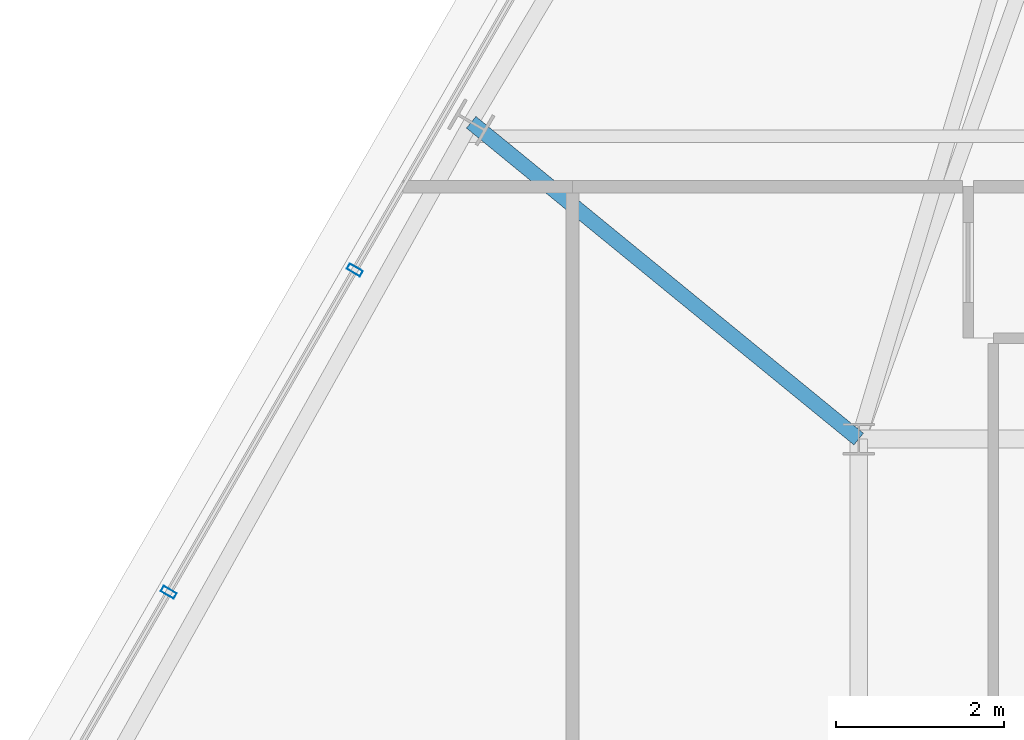
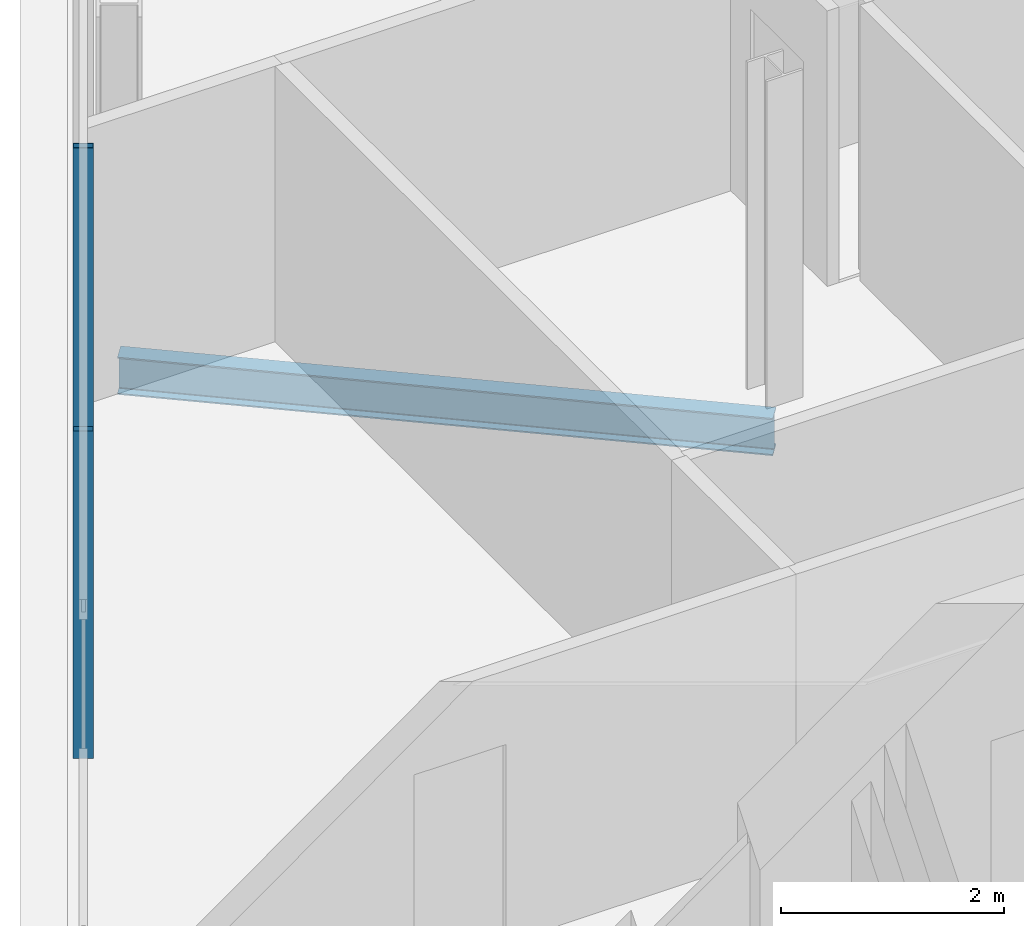
# One storey, part 12 of 34: 2 members, 1 beam, 1 element without a shape of its own.
"""IFC4 building model written with IfcOpenShell, lengths in metres."""

from ifc_helpers import new_model, si_unit, direction, frame, origin, origin_2d, place, context, subcontext, project, spatial, hollow_rectangle, i_section, extrude, material, layer, layer_set, material_profile, profile_set, type_object, element, aggregate, save


model = new_model("IFC4")

# Units and contexts
model_context = context("Model", 3, precision=1e-05, world=origin(), true_north=direction((0.0, 1.0)))
body_context = subcontext(model_context, "Body", "Model", "MODEL_VIEW")
ifc_project = project(units=[si_unit("LENGTHUNIT", "METRE"), si_unit("AREAUNIT", "SQUARE_METRE"), si_unit("VOLUMEUNIT", "CUBIC_METRE"), si_unit("PLANEANGLEUNIT", "RADIAN"), si_unit("MASSUNIT", "GRAM", prefix="KILO")], contexts=[model_context])

# Site, building, storey
site_placement = place(None, origin())
site = spatial("IfcSite", under=ifc_project, at=site_placement, CompositionType="ELEMENT")
building_placement = place(site_placement, origin())
building = spatial("IfcBuilding", under=site, at=building_placement, Name="Ndaravel Arena Tower", CompositionType="ELEMENT")
storey_placement = place(building_placement, frame((0.0, 0.0, 263.60009765625)))
storey = spatial("IfcBuildingStorey", under=building, at=storey_placement, Name="L64", CompositionType="ELEMENT", Elevation=263.60009765625)

# Beam
ifc_material_1 = material(Name="Steel S355", Category="steel")
ifc_material_profile_1 = material_profile(ifc_material_1, i_section(OverallWidth=0.1787109375, OverallDepth=0.409423828125, WebThickness=0.0087890625, FlangeThickness=0.014404296875, FilletRadius=0.01025390625, at=origin_2d()), Name="UB 406x178x67")
ifc_profile_set_1 = profile_set([ifc_material_profile_1], Name="Steel S355")
beam_type = type_object("IfcBeamType", Name="BM-GIRD-UB406", PredefinedType="BEAM", material=ifc_profile_set_1)
beam_placement = place(storey_placement, frame((29.596435546875, 26.963623046875, -0.4248046875), z_axis=(0.774191399376, -0.632951559863, 0.0), x_axis=(0.632951559863, 0.774191399376, 0.0)))
element("IfcBeam", 1, at=beam_placement, inside=storey, type_object=beam_type, Name="L64 Radial Floor Girder FG-19", PredefinedType="BEAM", context=body_context, shape_type="SweptSolid", body=[
    extrude(i_section(OverallWidth=0.1787109375, OverallDepth=0.409423828125, WebThickness=0.0087890625, FlangeThickness=0.014404296875, FilletRadius=0.01025390625, at=origin_2d()), origin(), (0.0, 0.0, 1.0), 5.9462890625),
])

# Curtain wall, members
ifc_material_2 = material(Name="Aluminium", Category="aluminium")
ifc_layer = layer(ifc_material_2, 0.179931640625)
ifc_layer_set = layer_set([ifc_layer], Name="Aluminium")
curtain_wall_type = type_object("IfcCurtainWallType", Name="CW-SYS-03", PredefinedType="NOTDEFINED", material=ifc_layer_set)
curtain_wall_placement = place(storey_placement, origin())
curtain_wall = element("IfcCurtainWall", 2, at=curtain_wall_placement, inside=storey, type_object=curtain_wall_type, Name="L64 Faceted Crystal Curtain Wall CW-L64-E05", PredefinedType="NOTDEFINED")
ifc_material_3 = material(Name="Aluminium", Category="aluminium")
ifc_material_profile_2 = material_profile(ifc_material_3, hollow_rectangle(XDim=0.074951171875, YDim=0.179931640625, WallThickness=0.00390625, at=origin_2d()), Name="CW MULLION 75x180x4")
ifc_profile_set_2 = profile_set([ifc_material_profile_2], Name="Aluminium")
member_type = type_object("IfcMemberType", Name="MEM-CW-MUL180", PredefinedType="MULLION", material=ifc_profile_set_2)
member_1_placement = place(storey_placement, frame((28.213623046875, 25.20849609375, 0.0), z_axis=(0.0, 0.0, 1.0), x_axis=(-0.5, -0.866025403784, 0.0)))
member_1 = element("IfcMember", 3, at=member_1_placement, type_object=member_type, Name="CW-L64-E05 Mullion 05", PredefinedType="MULLION", context=body_context, shape_type="SweptSolid", body=[
    extrude(hollow_rectangle(XDim=0.074951171875, YDim=0.179931640625, WallThickness=0.00390625, at=origin_2d()), origin(), (0.0, 0.0, 1.0), 3.579833984375),
])
member_2_placement = place(storey_placement, frame((26.00244140625, 21.378662109375, 0.0), z_axis=(0.0, 0.0, 1.0), x_axis=(-0.5, -0.866025403784, 0.0)))
member_2 = element("IfcMember", 4, at=member_2_placement, type_object=member_type, Name="CW-L64-E05 Mullion 06", PredefinedType="MULLION", context=body_context, shape_type="SweptSolid", body=[
    extrude(hollow_rectangle(XDim=0.074951171875, YDim=0.179931640625, WallThickness=0.00390625, at=origin_2d()), origin(), (0.0, 0.0, 1.0), 3.579833984375),
])
aggregate(curtain_wall, [member_1, member_2])

save(model, "model.ifc")
